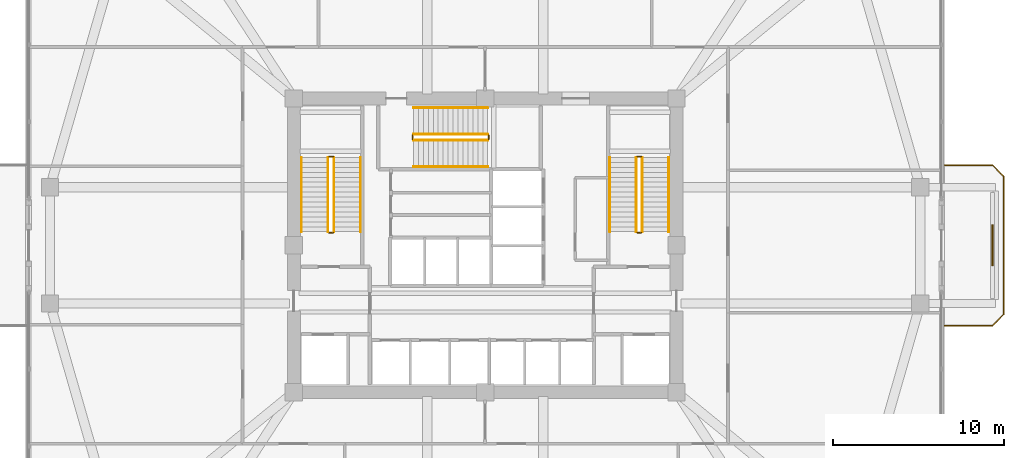
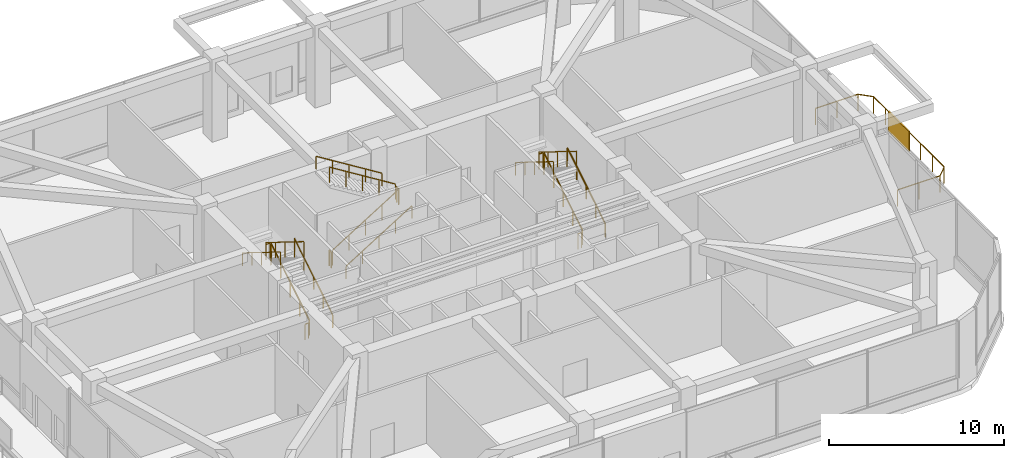
# One storey, part 12 of 13: 19 railings, 1 shading device.
"""IFC4 building model written with IfcOpenShell, lengths in metres."""

from ifc_helpers import new_model, si_unit, derived_unit, direction, frame, origin, origin_2d, place, context, subcontext, project, spatial, rectangle, extrude, material, layer, layer_set, type_object, element, save


model = new_model("IFC4")

# Units and contexts
model_context = context("Model", 3, precision=1e-05, world=origin(), true_north=direction((0.0, 1.0)))
body_context = subcontext(model_context, "Body", "Model", "MODEL_VIEW")
ifc_project = project(units=[si_unit("LENGTHUNIT", "METRE"), si_unit("AREAUNIT", "SQUARE_METRE"), si_unit("VOLUMEUNIT", "CUBIC_METRE"), si_unit("PLANEANGLEUNIT", "RADIAN"), si_unit("MASSUNIT", "GRAM", prefix="KILO"), derived_unit("THERMALTRANSMITTANCEUNIT", [(si_unit("POWERUNIT", "WATT"), 1), (si_unit("LENGTHUNIT", "METRE"), -2), (si_unit("THERMODYNAMICTEMPERATUREUNIT", "KELVIN"), -1)])], contexts=[model_context])

# Site, building, storey
site_placement = place(None, origin())
site = spatial("IfcSite", under=ifc_project, at=site_placement, CompositionType="ELEMENT")
building_placement = place(site_placement, origin())
building = spatial("IfcBuilding", under=site, at=building_placement, Name="Koralith Skygarden Medical Center", CompositionType="ELEMENT")
storey_placement = place(building_placement, frame((0.0, 0.0, 75.419921875)))
storey = spatial("IfcBuildingStorey", under=building, at=storey_placement, Name="L19", CompositionType="ELEMENT", Elevation=75.419921875)

# Railing
ifc_material_1 = material(Name="Steel ASTM A500 Grade C", Category="steel")
railing_type_1 = type_object("IfcRailingType", Name="Outdoor Terrace & Balcony Safety Guardrail 1180", PredefinedType="GUARDRAIL", material=ifc_material_1)
railing_1_placement = place(storey_placement, frame((63.89990234375, 21.199951171875, 0.0)))
element("IfcRailing", 1, at=railing_1_placement, inside=storey, type_object=railing_type_1, Name="L19 E Balcony Perimeter Guardrail", PredefinedType="GUARDRAIL", context=body_context, shape_type="SweptSolid", body=[
    extrude(rectangle(XDim=0.050048828125, YDim=0.050048828125, at=origin_2d()), frame((0.001953125, 0.0, 1.15478515625), z_axis=(1.0, 0.0, 0.0), x_axis=(0.0, 1.0, 0.0)), (0.0, 0.0, 1.0), 2.796142578125),
    extrude(rectangle(XDim=0.050048828125, YDim=0.050048828125, at=origin_2d()), frame((2.801513671875, 0.00146484375, 1.15478515625), z_axis=(0.707106781187, 0.707106781187, 0.0), x_axis=(-0.707106781187, 0.707106781187, 0.0)), (0.0, 0.0, 1.0), 0.91552734375),
    extrude(rectangle(XDim=0.050048828125, YDim=0.050048828125, at=origin_2d()), frame((3.4501953125, 0.652099609375, 1.15478515625), z_axis=(0.0, 1.0, 0.0), x_axis=(-1.0, 0.0, 0.0)), (0.0, 0.0, 1.0), 8.095947265625),
    extrude(rectangle(XDim=0.050048828125, YDim=0.050048828125, at=origin_2d()), frame((3.44873046875, 8.75146484375, 1.15478515625), z_axis=(-0.707106781187, 0.707106781187, 0.0), x_axis=(-0.707106781187, -0.707106781187, 0.0)), (0.0, 0.0, 1.0), 0.91552734375),
    extrude(rectangle(XDim=0.050048828125, YDim=0.050048828125, at=origin_2d()), frame((2.798095703125, 9.400146484375, 1.15478515625), z_axis=(-1.0, 0.0, 0.0), x_axis=(0.0, -1.0, 0.0)), (0.0, 0.0, 1.0), 2.796142578125),
    extrude(rectangle(XDim=0.0419921875, YDim=0.0419921875, at=origin_2d()), origin(), (0.0, 0.0, 1.0), 1.1279296875),
    extrude(rectangle(XDim=0.0419921875, YDim=0.0419921875, at=origin_2d()), frame((1.39990234375, 0.0, 0.0)), (0.0, 0.0, 1.0), 1.1279296875),
    extrude(rectangle(XDim=0.0419921875, YDim=0.0419921875, at=origin_2d()), frame((2.800048828125, 0.0, 0.0)), (0.0, 0.0, 1.0), 1.1279296875),
    extrude(rectangle(XDim=0.0419921875, YDim=0.0419921875, at=origin_2d()), frame((3.4501953125, 0.650146484375, 0.0)), (0.0, 0.0, 1.0), 1.1279296875),
    extrude(rectangle(XDim=0.0419921875, YDim=0.0419921875, at=origin_2d()), frame((3.4501953125, 2.0, 0.0)), (0.0, 0.0, 1.0), 1.1279296875),
    extrude(rectangle(XDim=0.0419921875, YDim=0.0419921875, at=origin_2d()), frame((3.4501953125, 3.35009765625, 0.0)), (0.0, 0.0, 1.0), 1.1279296875),
    extrude(rectangle(XDim=0.0419921875, YDim=0.0419921875, at=origin_2d()), frame((3.4501953125, 4.7001953125, 0.0)), (0.0, 0.0, 1.0), 1.1279296875),
    extrude(rectangle(XDim=0.0419921875, YDim=0.0419921875, at=origin_2d()), frame((3.4501953125, 6.050048828125, 0.0)), (0.0, 0.0, 1.0), 1.1279296875),
    extrude(rectangle(XDim=0.0419921875, YDim=0.0419921875, at=origin_2d()), frame((3.4501953125, 7.39990234375, 0.0)), (0.0, 0.0, 1.0), 1.1279296875),
    extrude(rectangle(XDim=0.0419921875, YDim=0.0419921875, at=origin_2d()), frame((3.4501953125, 8.75, 0.0)), (0.0, 0.0, 1.0), 1.1279296875),
    extrude(rectangle(XDim=0.0419921875, YDim=0.0419921875, at=origin_2d()), frame((2.800048828125, 9.400146484375, 0.0)), (0.0, 0.0, 1.0), 1.1279296875),
    extrude(rectangle(XDim=0.0419921875, YDim=0.0419921875, at=origin_2d()), frame((1.39990234375, 9.400146484375, 0.0)), (0.0, 0.0, 1.0), 1.1279296875),
    extrude(rectangle(XDim=0.0419921875, YDim=0.0419921875, at=origin_2d()), frame((0.0, 9.400146484375, 0.0)), (0.0, 0.0, 1.0), 1.1279296875),
])

# Shading device
ifc_material_2 = material(Name="Aluminium 6063-T6", Category="aluminium")
ifc_layer = layer(ifc_material_2, 0.080078125)
ifc_layer_set = layer_set([ifc_layer], Name="Aluminium 6063-T6")
shading_device_type = type_object("IfcShadingDeviceType", Name="Perforated Biophilic Balcony Trellis Screen", PredefinedType="USERDEFINED", material=ifc_layer_set)
shading_device_placement = place(storey_placement, frame((66.699951171875, 25.89990234375, 0.72021484375), z_axis=(0.0, 0.0, 1.0), x_axis=(0.0, 1.0, 0.0)))
element("IfcShadingDevice", 2, at=shading_device_placement, inside=storey, type_object=shading_device_type, Name="L19 E Biophilic Balcony Trellis Screen", ObjectType="HURRICANE SCREEN", PredefinedType="USERDEFINED", context=body_context, shape_type="SweptSolid", body=[
    extrude(rectangle(XDim=2.39990234375, YDim=0.080078125, at=origin_2d()), origin(), (0.0, 0.0, 1.0), 1.39990234375),
])

# Railings
railing_type_2 = type_object("IfcRailingType", Name="Stair Flight Tubular Handrail 920", PredefinedType="HANDRAIL", material=ifc_material_1)
railing_2_placement = place(storey_placement, frame((29.699951171875, 26.699951171875, 0.18017578125)))
element("IfcRailing", 3, at=railing_2_placement, inside=storey, type_object=railing_type_2, Name="L19 ST1 stair handrail 1", PredefinedType="HANDRAIL", context=body_context, shape_type="SweptSolid", body=[
    extrude(rectangle(XDim=0.050048828125, YDim=0.050048828125, at=origin_2d()), frame((0.0, 0.001708984375, 0.89599609375), z_axis=(0.0, 0.849649743971, 0.527347430608), x_axis=(-1.0, 0.0, 0.0)), (0.0, 0.0, 1.0), 5.115966796875),
    extrude(rectangle(XDim=0.0419921875, YDim=0.0419921875, at=origin_2d()), origin(), (0.0, 0.0, 1.0), 0.867919921875),
    extrude(rectangle(XDim=0.0419921875, YDim=0.0419921875, at=origin_2d()), frame((0.0, 1.08740234375, 0.675048828125)), (0.0, 0.0, 1.0), 0.867919921875),
    extrude(rectangle(XDim=0.0419921875, YDim=0.0419921875, at=origin_2d()), frame((0.0, 2.175048828125, 1.35009765625)), (0.0, 0.0, 1.0), 0.867919921875),
    extrude(rectangle(XDim=0.0419921875, YDim=0.0419921875, at=origin_2d()), frame((0.0, 3.2626953125, 2.02490234375)), (0.0, 0.0, 1.0), 0.867919921875),
    extrude(rectangle(XDim=0.0419921875, YDim=0.0419921875, at=origin_2d()), frame((0.0, 4.35009765625, 2.699951171875)), (0.0, 0.0, 1.0), 0.867919921875),
])
railing_3_placement = place(storey_placement, frame((26.25, 31.050048828125, 3.06005859375)))
element("IfcRailing", 4, at=railing_3_placement, inside=storey, type_object=railing_type_2, Name="L19 ST1 stair handrail 2", PredefinedType="HANDRAIL", context=body_context, shape_type="SweptSolid", body=[
    extrude(rectangle(XDim=0.050048828125, YDim=0.050048828125, at=origin_2d()), frame((0.0, -0.001708984375, 0.89599609375), z_axis=(0.0, -0.849649743971, 0.527347430608), x_axis=(1.0, 0.0, 0.0)), (0.0, 0.0, 1.0), 5.115966796875),
    extrude(rectangle(XDim=0.0419921875, YDim=0.0419921875, at=origin_2d()), origin(), (0.0, 0.0, 1.0), 0.867919921875),
    extrude(rectangle(XDim=0.0419921875, YDim=0.0419921875, at=origin_2d()), frame((0.0, -1.08740234375, 0.675048828125)), (0.0, 0.0, 1.0), 0.867919921875),
    extrude(rectangle(XDim=0.0419921875, YDim=0.0419921875, at=origin_2d()), frame((0.0, -2.175048828125, 1.35009765625)), (0.0, 0.0, 1.0), 0.867919921875),
    extrude(rectangle(XDim=0.0419921875, YDim=0.0419921875, at=origin_2d()), frame((0.0, -3.2626953125, 2.02490234375)), (0.0, 0.0, 1.0), 0.867919921875),
    extrude(rectangle(XDim=0.0419921875, YDim=0.0419921875, at=origin_2d()), frame((0.0, -4.35009765625, 2.699951171875)), (0.0, 0.0, 1.0), 0.867919921875),
])
railing_4_placement = place(storey_placement, frame((47.75, 26.699951171875, 0.18017578125)))
element("IfcRailing", 5, at=railing_4_placement, inside=storey, type_object=railing_type_2, Name="L19 ST2 stair handrail 1", PredefinedType="HANDRAIL", context=body_context, shape_type="SweptSolid", body=[
    extrude(rectangle(XDim=0.050048828125, YDim=0.050048828125, at=origin_2d()), frame((0.0, 0.001708984375, 0.89599609375), z_axis=(0.0, 0.849649743971, 0.527347430608), x_axis=(-1.0, 0.0, 0.0)), (0.0, 0.0, 1.0), 5.115966796875),
    extrude(rectangle(XDim=0.0419921875, YDim=0.0419921875, at=origin_2d()), origin(), (0.0, 0.0, 1.0), 0.867919921875),
    extrude(rectangle(XDim=0.0419921875, YDim=0.0419921875, at=origin_2d()), frame((0.0, 1.08740234375, 0.675048828125)), (0.0, 0.0, 1.0), 0.867919921875),
    extrude(rectangle(XDim=0.0419921875, YDim=0.0419921875, at=origin_2d()), frame((0.0, 2.175048828125, 1.35009765625)), (0.0, 0.0, 1.0), 0.867919921875),
    extrude(rectangle(XDim=0.0419921875, YDim=0.0419921875, at=origin_2d()), frame((0.0, 3.2626953125, 2.02490234375)), (0.0, 0.0, 1.0), 0.867919921875),
    extrude(rectangle(XDim=0.0419921875, YDim=0.0419921875, at=origin_2d()), frame((0.0, 4.35009765625, 2.699951171875)), (0.0, 0.0, 1.0), 0.867919921875),
])
railing_5_placement = place(storey_placement, frame((44.300048828125, 31.050048828125, 3.06005859375)))
element("IfcRailing", 6, at=railing_5_placement, inside=storey, type_object=railing_type_2, Name="L19 ST2 stair handrail 2", PredefinedType="HANDRAIL", context=body_context, shape_type="SweptSolid", body=[
    extrude(rectangle(XDim=0.050048828125, YDim=0.050048828125, at=origin_2d()), frame((0.0, -0.001708984375, 0.89599609375), z_axis=(0.0, -0.849649743971, 0.527347430608), x_axis=(1.0, 0.0, 0.0)), (0.0, 0.0, 1.0), 5.115966796875),
    extrude(rectangle(XDim=0.0419921875, YDim=0.0419921875, at=origin_2d()), origin(), (0.0, 0.0, 1.0), 0.867919921875),
    extrude(rectangle(XDim=0.0419921875, YDim=0.0419921875, at=origin_2d()), frame((0.0, -1.08740234375, 0.675048828125)), (0.0, 0.0, 1.0), 0.867919921875),
    extrude(rectangle(XDim=0.0419921875, YDim=0.0419921875, at=origin_2d()), frame((0.0, -2.175048828125, 1.35009765625)), (0.0, 0.0, 1.0), 0.867919921875),
    extrude(rectangle(XDim=0.0419921875, YDim=0.0419921875, at=origin_2d()), frame((0.0, -3.2626953125, 2.02490234375)), (0.0, 0.0, 1.0), 0.867919921875),
    extrude(rectangle(XDim=0.0419921875, YDim=0.0419921875, at=origin_2d()), frame((0.0, -4.35009765625, 2.699951171875)), (0.0, 0.0, 1.0), 0.867919921875),
])
railing_6_placement = place(storey_placement, frame((32.800048828125, 30.5, 0.18017578125)))
element("IfcRailing", 7, at=railing_6_placement, inside=storey, type_object=railing_type_2, Name="L19 ST3 stair handrail 1", PredefinedType="HANDRAIL", context=body_context, shape_type="SweptSolid", body=[
    extrude(rectangle(XDim=0.050048828125, YDim=0.050048828125, at=origin_2d()), frame((0.001708984375, 0.0, 0.89599609375), z_axis=(0.849636482215, 0.0, 0.527368797038), x_axis=(0.0, 1.0, 0.0)), (0.0, 0.0, 1.0), 5.11572265625),
    extrude(rectangle(XDim=0.0419921875, YDim=0.0419921875, at=origin_2d()), origin(), (0.0, 0.0, 1.0), 0.867919921875),
    extrude(rectangle(XDim=0.0419921875, YDim=0.0419921875, at=origin_2d()), frame((1.08740234375, 0.0, 0.675048828125)), (0.0, 0.0, 1.0), 0.867919921875),
    extrude(rectangle(XDim=0.0419921875, YDim=0.0419921875, at=origin_2d()), frame((2.1748046875, 0.0, 1.35009765625)), (0.0, 0.0, 1.0), 0.867919921875),
    extrude(rectangle(XDim=0.0419921875, YDim=0.0419921875, at=origin_2d()), frame((3.262451171875, 0.0, 2.02490234375)), (0.0, 0.0, 1.0), 0.867919921875),
    extrude(rectangle(XDim=0.0419921875, YDim=0.0419921875, at=origin_2d()), frame((4.349853515625, 0.0, 2.699951171875)), (0.0, 0.0, 1.0), 0.867919921875),
])
railing_7_placement = place(storey_placement, frame((37.14990234375, 33.949951171875, 3.06005859375)))
element("IfcRailing", 8, at=railing_7_placement, inside=storey, type_object=railing_type_2, Name="L19 ST3 stair handrail 2", PredefinedType="HANDRAIL", context=body_context, shape_type="SweptSolid", body=[
    extrude(rectangle(XDim=0.050048828125, YDim=0.050048828125, at=origin_2d()), frame((-0.001708984375, 0.0, 0.89599609375), z_axis=(-0.849636482215, 0.0, 0.527368797038), x_axis=(0.0, -1.0, 0.0)), (0.0, 0.0, 1.0), 5.11572265625),
    extrude(rectangle(XDim=0.0419921875, YDim=0.0419921875, at=origin_2d()), origin(), (0.0, 0.0, 1.0), 0.867919921875),
    extrude(rectangle(XDim=0.0419921875, YDim=0.0419921875, at=origin_2d()), frame((-1.08740234375, 0.0, 0.675048828125)), (0.0, 0.0, 1.0), 0.867919921875),
    extrude(rectangle(XDim=0.0419921875, YDim=0.0419921875, at=origin_2d()), frame((-2.1748046875, 0.0, 1.35009765625)), (0.0, 0.0, 1.0), 0.867919921875),
    extrude(rectangle(XDim=0.0419921875, YDim=0.0419921875, at=origin_2d()), frame((-3.262451171875, 0.0, 2.02490234375)), (0.0, 0.0, 1.0), 0.867919921875),
    extrude(rectangle(XDim=0.0419921875, YDim=0.0419921875, at=origin_2d()), frame((-4.349853515625, 0.0, 2.699951171875)), (0.0, 0.0, 1.0), 0.867919921875),
])
railing_type_3 = type_object("IfcRailingType", Name="Stair Well Safety Guardrail 1100", PredefinedType="GUARDRAIL", material=ifc_material_1)
railing_8_placement = place(storey_placement, frame((28.14990234375, 26.699951171875, 0.18017578125)))
element("IfcRailing", 9, at=railing_8_placement, inside=storey, type_object=railing_type_3, Name="L19 ST1 stair guard 1", PredefinedType="GUARDRAIL", context=body_context, shape_type="SweptSolid", body=[
    extrude(rectangle(XDim=0.050048828125, YDim=0.050048828125, at=origin_2d()), frame((0.0, 0.001708984375, 1.076171875), z_axis=(0.0, 0.849649743971, 0.527347430608), x_axis=(-1.0, 0.0, 0.0)), (0.0, 0.0, 1.0), 5.115966796875),
    extrude(rectangle(XDim=0.0419921875, YDim=0.0419921875, at=origin_2d()), origin(), (0.0, 0.0, 1.0), 1.048095703125),
    extrude(rectangle(XDim=0.0419921875, YDim=0.0419921875, at=origin_2d()), frame((0.0, 1.08740234375, 0.675048828125)), (0.0, 0.0, 1.0), 1.048095703125),
    extrude(rectangle(XDim=0.0419921875, YDim=0.0419921875, at=origin_2d()), frame((0.0, 2.175048828125, 1.35009765625)), (0.0, 0.0, 1.0), 1.048095703125),
    extrude(rectangle(XDim=0.0419921875, YDim=0.0419921875, at=origin_2d()), frame((0.0, 3.2626953125, 2.02490234375)), (0.0, 0.0, 1.0), 1.048095703125),
    extrude(rectangle(XDim=0.0419921875, YDim=0.0419921875, at=origin_2d()), frame((0.0, 4.35009765625, 2.699951171875)), (0.0, 0.0, 1.0), 1.048095703125),
])
railing_9_placement = place(storey_placement, frame((28.10009765625, 31.10009765625, 2.880126953125)))
element("IfcRailing", 10, at=railing_9_placement, inside=storey, type_object=railing_type_3, Name="L19 ST1 stair guard 2", PredefinedType="GUARDRAIL", context=body_context, shape_type="SweptSolid", body=[
    extrude(rectangle(XDim=0.050048828125, YDim=0.050048828125, at=origin_2d()), frame((-0.001953125, 0.0, 1.0751953125), z_axis=(-1.0, 0.0, 0.0), x_axis=(0.0, -1.0, 0.0)), (0.0, 0.0, 1.0), 0.24609375),
    extrude(rectangle(XDim=0.0419921875, YDim=0.0419921875, at=origin_2d()), origin(), (0.0, 0.0, 1.0), 1.048095703125),
    extrude(rectangle(XDim=0.0419921875, YDim=0.0419921875, at=origin_2d()), frame((-0.25, 0.0, 0.0)), (0.0, 0.0, 1.0), 1.048095703125),
])
railing_10_placement = place(storey_placement, frame((27.800048828125, 31.050048828125, 3.06005859375)))
element("IfcRailing", 11, at=railing_10_placement, inside=storey, type_object=railing_type_3, Name="L19 ST1 stair guard 3", PredefinedType="GUARDRAIL", context=body_context, shape_type="SweptSolid", body=[
    extrude(rectangle(XDim=0.050048828125, YDim=0.050048828125, at=origin_2d()), frame((0.0, -0.001708984375, 1.076171875), z_axis=(0.0, -0.849649743971, 0.527347430608), x_axis=(1.0, 0.0, 0.0)), (0.0, 0.0, 1.0), 5.115966796875),
    extrude(rectangle(XDim=0.0419921875, YDim=0.0419921875, at=origin_2d()), origin(), (0.0, 0.0, 1.0), 1.048095703125),
    extrude(rectangle(XDim=0.0419921875, YDim=0.0419921875, at=origin_2d()), frame((0.0, -1.08740234375, 0.675048828125)), (0.0, 0.0, 1.0), 1.048095703125),
    extrude(rectangle(XDim=0.0419921875, YDim=0.0419921875, at=origin_2d()), frame((0.0, -2.175048828125, 1.35009765625)), (0.0, 0.0, 1.0), 1.048095703125),
    extrude(rectangle(XDim=0.0419921875, YDim=0.0419921875, at=origin_2d()), frame((0.0, -3.2626953125, 2.02490234375)), (0.0, 0.0, 1.0), 1.048095703125),
    extrude(rectangle(XDim=0.0419921875, YDim=0.0419921875, at=origin_2d()), frame((0.0, -4.35009765625, 2.699951171875)), (0.0, 0.0, 1.0), 1.048095703125),
])
railing_11_placement = place(storey_placement, frame((28.10009765625, 26.64990234375, 0.0)))
element("IfcRailing", 12, at=railing_11_placement, inside=storey, type_object=railing_type_3, Name="L19 ST1 stair guard 4", PredefinedType="GUARDRAIL", context=body_context, shape_type="SweptSolid", body=[
    extrude(rectangle(XDim=0.050048828125, YDim=0.050048828125, at=origin_2d()), frame((-0.001953125, 0.0, 1.0751953125), z_axis=(-1.0, 0.0, 0.0), x_axis=(0.0, -1.0, 0.0)), (0.0, 0.0, 1.0), 0.24609375),
    extrude(rectangle(XDim=0.0419921875, YDim=0.0419921875, at=origin_2d()), origin(), (0.0, 0.0, 1.0), 1.048095703125),
    extrude(rectangle(XDim=0.0419921875, YDim=0.0419921875, at=origin_2d()), frame((-0.25, 0.0, 0.0)), (0.0, 0.0, 1.0), 1.048095703125),
])
railing_12_placement = place(storey_placement, frame((46.199951171875, 26.699951171875, 0.18017578125)))
element("IfcRailing", 13, at=railing_12_placement, inside=storey, type_object=railing_type_3, Name="L19 ST2 stair guard 1", PredefinedType="GUARDRAIL", context=body_context, shape_type="SweptSolid", body=[
    extrude(rectangle(XDim=0.050048828125, YDim=0.050048828125, at=origin_2d()), frame((0.0, 0.001708984375, 1.076171875), z_axis=(0.0, 0.849649743971, 0.527347430608), x_axis=(-1.0, 0.0, 0.0)), (0.0, 0.0, 1.0), 5.115966796875),
    extrude(rectangle(XDim=0.0419921875, YDim=0.0419921875, at=origin_2d()), origin(), (0.0, 0.0, 1.0), 1.048095703125),
    extrude(rectangle(XDim=0.0419921875, YDim=0.0419921875, at=origin_2d()), frame((0.0, 1.08740234375, 0.675048828125)), (0.0, 0.0, 1.0), 1.048095703125),
    extrude(rectangle(XDim=0.0419921875, YDim=0.0419921875, at=origin_2d()), frame((0.0, 2.175048828125, 1.35009765625)), (0.0, 0.0, 1.0), 1.048095703125),
    extrude(rectangle(XDim=0.0419921875, YDim=0.0419921875, at=origin_2d()), frame((0.0, 3.2626953125, 2.02490234375)), (0.0, 0.0, 1.0), 1.048095703125),
    extrude(rectangle(XDim=0.0419921875, YDim=0.0419921875, at=origin_2d()), frame((0.0, 4.35009765625, 2.699951171875)), (0.0, 0.0, 1.0), 1.048095703125),
])
railing_13_placement = place(storey_placement, frame((46.14990234375, 31.10009765625, 2.880126953125)))
element("IfcRailing", 14, at=railing_13_placement, inside=storey, type_object=railing_type_3, Name="L19 ST2 stair guard 2", PredefinedType="GUARDRAIL", context=body_context, shape_type="SweptSolid", body=[
    extrude(rectangle(XDim=0.050048828125, YDim=0.050048828125, at=origin_2d()), frame((-0.001953125, 0.0, 1.0751953125), z_axis=(-1.0, 0.0, 0.0), x_axis=(0.0, -1.0, 0.0)), (0.0, 0.0, 1.0), 0.24609375),
    extrude(rectangle(XDim=0.0419921875, YDim=0.0419921875, at=origin_2d()), origin(), (0.0, 0.0, 1.0), 1.048095703125),
    extrude(rectangle(XDim=0.0419921875, YDim=0.0419921875, at=origin_2d()), frame((-0.25, 0.0, 0.0)), (0.0, 0.0, 1.0), 1.048095703125),
])
railing_14_placement = place(storey_placement, frame((45.85009765625, 31.050048828125, 3.06005859375)))
element("IfcRailing", 15, at=railing_14_placement, inside=storey, type_object=railing_type_3, Name="L19 ST2 stair guard 3", PredefinedType="GUARDRAIL", context=body_context, shape_type="SweptSolid", body=[
    extrude(rectangle(XDim=0.050048828125, YDim=0.050048828125, at=origin_2d()), frame((0.0, -0.001708984375, 1.076171875), z_axis=(0.0, -0.849649743971, 0.527347430608), x_axis=(1.0, 0.0, 0.0)), (0.0, 0.0, 1.0), 5.115966796875),
    extrude(rectangle(XDim=0.0419921875, YDim=0.0419921875, at=origin_2d()), origin(), (0.0, 0.0, 1.0), 1.048095703125),
    extrude(rectangle(XDim=0.0419921875, YDim=0.0419921875, at=origin_2d()), frame((0.0, -1.08740234375, 0.675048828125)), (0.0, 0.0, 1.0), 1.048095703125),
    extrude(rectangle(XDim=0.0419921875, YDim=0.0419921875, at=origin_2d()), frame((0.0, -2.175048828125, 1.35009765625)), (0.0, 0.0, 1.0), 1.048095703125),
    extrude(rectangle(XDim=0.0419921875, YDim=0.0419921875, at=origin_2d()), frame((0.0, -3.2626953125, 2.02490234375)), (0.0, 0.0, 1.0), 1.048095703125),
    extrude(rectangle(XDim=0.0419921875, YDim=0.0419921875, at=origin_2d()), frame((0.0, -4.35009765625, 2.699951171875)), (0.0, 0.0, 1.0), 1.048095703125),
])
railing_15_placement = place(storey_placement, frame((46.14990234375, 26.64990234375, 0.0)))
element("IfcRailing", 16, at=railing_15_placement, inside=storey, type_object=railing_type_3, Name="L19 ST2 stair guard 4", PredefinedType="GUARDRAIL", context=body_context, shape_type="SweptSolid", body=[
    extrude(rectangle(XDim=0.050048828125, YDim=0.050048828125, at=origin_2d()), frame((-0.001953125, 0.0, 1.0751953125), z_axis=(-1.0, 0.0, 0.0), x_axis=(0.0, -1.0, 0.0)), (0.0, 0.0, 1.0), 0.24609375),
    extrude(rectangle(XDim=0.0419921875, YDim=0.0419921875, at=origin_2d()), origin(), (0.0, 0.0, 1.0), 1.048095703125),
    extrude(rectangle(XDim=0.0419921875, YDim=0.0419921875, at=origin_2d()), frame((-0.25, 0.0, 0.0)), (0.0, 0.0, 1.0), 1.048095703125),
])
railing_16_placement = place(storey_placement, frame((32.800048828125, 32.050048828125, 0.18017578125)))
element("IfcRailing", 17, at=railing_16_placement, inside=storey, type_object=railing_type_3, Name="L19 ST3 stair guard 1", PredefinedType="GUARDRAIL", context=body_context, shape_type="SweptSolid", body=[
    extrude(rectangle(XDim=0.050048828125, YDim=0.050048828125, at=origin_2d()), frame((0.001708984375, 0.0, 1.076171875), z_axis=(0.849636482215, 0.0, 0.527368797038), x_axis=(0.0, 1.0, 0.0)), (0.0, 0.0, 1.0), 5.11572265625),
    extrude(rectangle(XDim=0.0419921875, YDim=0.0419921875, at=origin_2d()), origin(), (0.0, 0.0, 1.0), 1.048095703125),
    extrude(rectangle(XDim=0.0419921875, YDim=0.0419921875, at=origin_2d()), frame((1.08740234375, 0.0, 0.675048828125)), (0.0, 0.0, 1.0), 1.048095703125),
    extrude(rectangle(XDim=0.0419921875, YDim=0.0419921875, at=origin_2d()), frame((2.1748046875, 0.0, 1.35009765625)), (0.0, 0.0, 1.0), 1.048095703125),
    extrude(rectangle(XDim=0.0419921875, YDim=0.0419921875, at=origin_2d()), frame((3.262451171875, 0.0, 2.02490234375)), (0.0, 0.0, 1.0), 1.048095703125),
    extrude(rectangle(XDim=0.0419921875, YDim=0.0419921875, at=origin_2d()), frame((4.349853515625, 0.0, 2.699951171875)), (0.0, 0.0, 1.0), 1.048095703125),
])
railing_17_placement = place(storey_placement, frame((37.199951171875, 32.10009765625, 2.880126953125)))
element("IfcRailing", 18, at=railing_17_placement, inside=storey, type_object=railing_type_3, Name="L19 ST3 stair guard 2", PredefinedType="GUARDRAIL", context=body_context, shape_type="SweptSolid", body=[
    extrude(rectangle(XDim=0.050048828125, YDim=0.050048828125, at=origin_2d()), frame((0.0, 0.001953125, 1.0751953125), z_axis=(0.0, 1.0, 0.0), x_axis=(-1.0, 0.0, 0.0)), (0.0, 0.0, 1.0), 0.24609375),
    extrude(rectangle(XDim=0.0419921875, YDim=0.0419921875, at=origin_2d()), origin(), (0.0, 0.0, 1.0), 1.048095703125),
    extrude(rectangle(XDim=0.0419921875, YDim=0.0419921875, at=origin_2d()), frame((0.0, 0.25, 0.0)), (0.0, 0.0, 1.0), 1.048095703125),
])
railing_18_placement = place(storey_placement, frame((37.14990234375, 32.39990234375, 3.06005859375)))
element("IfcRailing", 19, at=railing_18_placement, inside=storey, type_object=railing_type_3, Name="L19 ST3 stair guard 3", PredefinedType="GUARDRAIL", context=body_context, shape_type="SweptSolid", body=[
    extrude(rectangle(XDim=0.050048828125, YDim=0.050048828125, at=origin_2d()), frame((-0.001708984375, 0.0, 1.076171875), z_axis=(-0.849636482215, 0.0, 0.527368797038), x_axis=(0.0, -1.0, 0.0)), (0.0, 0.0, 1.0), 5.11572265625),
    extrude(rectangle(XDim=0.0419921875, YDim=0.0419921875, at=origin_2d()), origin(), (0.0, 0.0, 1.0), 1.048095703125),
    extrude(rectangle(XDim=0.0419921875, YDim=0.0419921875, at=origin_2d()), frame((-1.08740234375, 0.0, 0.675048828125)), (0.0, 0.0, 1.0), 1.048095703125),
    extrude(rectangle(XDim=0.0419921875, YDim=0.0419921875, at=origin_2d()), frame((-2.1748046875, 0.0, 1.35009765625)), (0.0, 0.0, 1.0), 1.048095703125),
    extrude(rectangle(XDim=0.0419921875, YDim=0.0419921875, at=origin_2d()), frame((-3.262451171875, 0.0, 2.02490234375)), (0.0, 0.0, 1.0), 1.048095703125),
    extrude(rectangle(XDim=0.0419921875, YDim=0.0419921875, at=origin_2d()), frame((-4.349853515625, 0.0, 2.699951171875)), (0.0, 0.0, 1.0), 1.048095703125),
])
railing_19_placement = place(storey_placement, frame((32.75, 32.10009765625, 0.0)))
element("IfcRailing", 20, at=railing_19_placement, inside=storey, type_object=railing_type_3, Name="L19 ST3 stair guard 4", PredefinedType="GUARDRAIL", context=body_context, shape_type="SweptSolid", body=[
    extrude(rectangle(XDim=0.050048828125, YDim=0.050048828125, at=origin_2d()), frame((0.0, 0.001953125, 1.0751953125), z_axis=(0.0, 1.0, 0.0), x_axis=(-1.0, 0.0, 0.0)), (0.0, 0.0, 1.0), 0.24609375),
    extrude(rectangle(XDim=0.0419921875, YDim=0.0419921875, at=origin_2d()), origin(), (0.0, 0.0, 1.0), 1.048095703125),
    extrude(rectangle(XDim=0.0419921875, YDim=0.0419921875, at=origin_2d()), frame((0.0, 0.25, 0.0)), (0.0, 0.0, 1.0), 1.048095703125),
])

save(model, "model.ifc")
